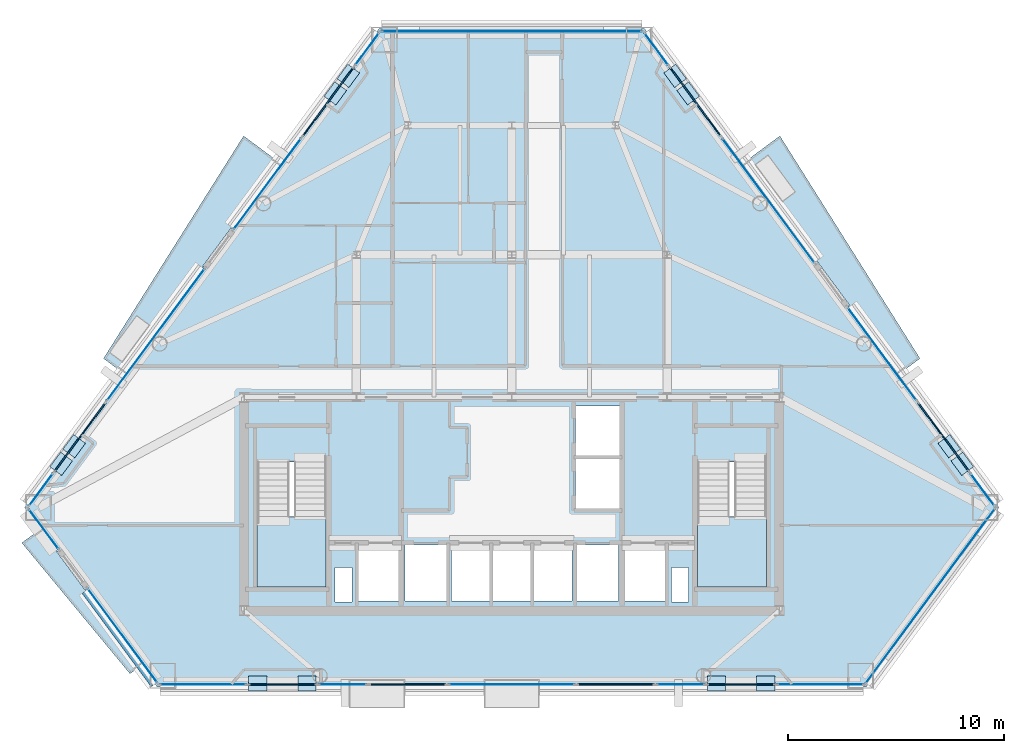
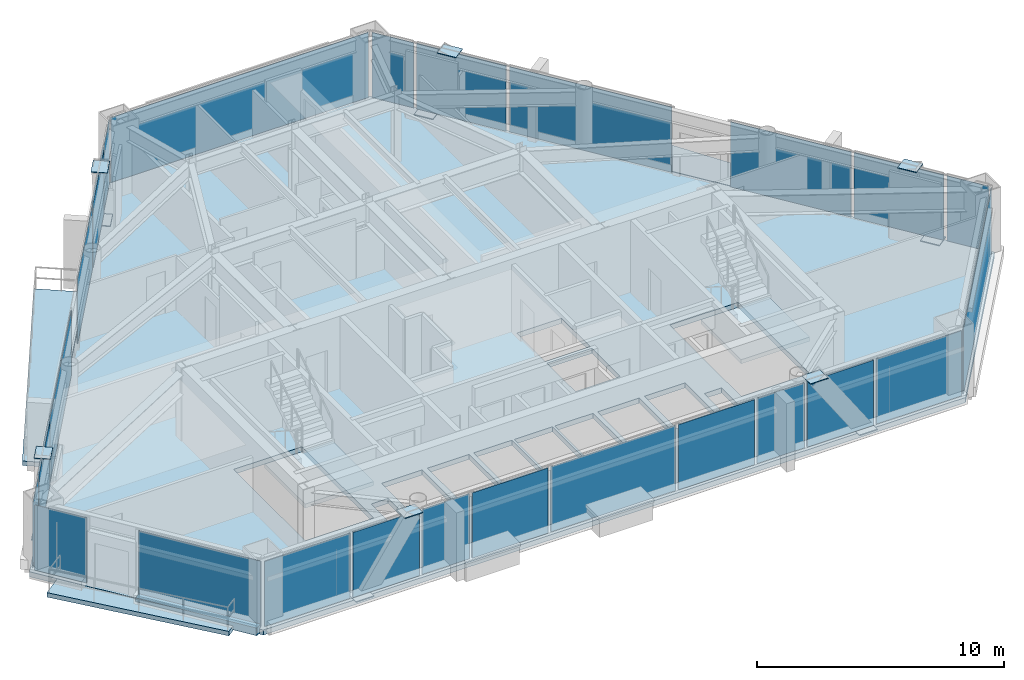
# One storey, part 7 of 13: 37 plates, 6 slabs, 1 wall, 27 elements without a shape of their own.
"""IFC4 building model written with IfcOpenShell, lengths in metres."""

from ifc_helpers import new_model, si_unit, direction, frame, frame_2d, origin, origin_2d, place, context, subcontext, project, spatial, polyline, rectangle, outline, extrude, source, transform, mapped, material, layer, layer_set, type_object, type_shapes, element, aggregate, save


model = new_model("IFC4")

# Units and contexts
model_context = context("Model", 3, precision=1e-05, world=origin(), true_north=direction((0.0, 1.0)))
body_context = subcontext(model_context, "Body", "Model", "MODEL_VIEW")
ifc_project = project(units=[si_unit("LENGTHUNIT", "METRE"), si_unit("AREAUNIT", "SQUARE_METRE"), si_unit("VOLUMEUNIT", "CUBIC_METRE"), si_unit("PLANEANGLEUNIT", "RADIAN"), si_unit("MASSUNIT", "GRAM", prefix="KILO")], contexts=[model_context])

# Site, building, storey
site_placement = place(None, origin())
site = spatial("IfcSite", under=ifc_project, at=site_placement, CompositionType="ELEMENT")
building_placement = place(site_placement, origin())
building = spatial("IfcBuilding", under=site, at=building_placement, Name="Talgorran Terracotta Tower", CompositionType="ELEMENT")
storey_placement = place(building_placement, frame((0.0, 0.0, 99.60009765625)))
storey = spatial("IfcBuildingStorey", under=building, at=storey_placement, Name="L25", CompositionType="ELEMENT", Elevation=99.60009765625)

# Plates
ifc_material_1 = material(Name="Steel Grade 350 (350L0)", Category="steel")
ifc_layer_1 = layer(ifc_material_1, 0.035888671875, Name="PL_CAP_MN06")
ifc_layer_set_1 = layer_set([ifc_layer_1], Name="Steel Grade 350 (350L0)")
plate_type_1 = type_object("IfcPlateType", Name="PL_CAP_MN06", PredefinedType="USERDEFINED", material=ifc_layer_set_1)
for number, where, z_axis, x_axis, name in (
    (1, (-11.77099609375, -17.4677734375, -0.0078125), (0.0, 0.0, 1.0), (1.0, 0.0, 0.0), "L25 Diagonal Frame End Cap SWF Bot"),
    (2, (-9.482177734375, -17.4677734375, 3.32177734375), (0.0, 0.0, 1.0), (1.0, 0.0, 0.0), "L25 Diagonal Frame End Cap SWF Top"),
    (3, (11.77099609375, -17.4677734375, -0.0078125), (0.0, 0.0, 1.0), (-1.0, 0.0, 0.0), "L25 Diagonal Frame End Cap SEF Bot"),
    (4, (9.482177734375, -17.4677734375, 3.32177734375), (0.0, 0.0, 1.0), (-1.0, 0.0, 0.0), "L25 Diagonal Frame End Cap SEF Top"),
    (5, (20.881591796875, -7.2880859375, -0.0078125), (0.0, 0.0, 1.0), (-0.59496307718, 0.803753032213, 0.0), "L25 Diagonal Frame End Cap NEL Bot"),
    (6, (20.278076171875, -6.47265625, 3.32177734375), (0.0, 0.0, 1.0), (-0.59496307718, 0.803753032213, 0.0), "L25 Diagonal Frame End Cap NEL Top"),
    (7, (7.572021484375, 10.694580078125, -0.0078125), (0.0, 0.0, 1.0), (0.59496307718, -0.803753032213, 0.0), "L25 Diagonal Frame End Cap NEU Bot"),
    (8, (8.175537109375, 9.87939453125, 3.32177734375), (0.0, 0.0, 1.0), (0.59496307718, -0.803753032213, 0.0), "L25 Diagonal Frame End Cap NEU Top"),
    (9, (-7.572021484375, 10.694580078125, -0.0078125), (0.0, 0.0, 1.0), (-0.59496307718, -0.803753032213, 0.0), "L25 Diagonal Frame End Cap NWU Bot"),
    (10, (-8.175537109375, 9.87939453125, 3.32177734375), (0.0, 0.0, 1.0), (-0.59496307718, -0.803753032213, 0.0), "L25 Diagonal Frame End Cap NWU Top"),
    (11, (-20.881591796875, -7.2880859375, -0.0078125), (0.0, 0.0, 1.0), (0.59496307718, 0.803753032213, 0.0), "L25 Diagonal Frame End Cap NWL Bot"),
    (12, (-20.278076171875, -6.47265625, 3.32177734375), (0.0, 0.0, 1.0), (0.59496307718, 0.803753032213, 0.0), "L25 Diagonal Frame End Cap NWL Top"),
):
    element("IfcPlate", number, at=place(storey_placement, frame(where, z_axis=z_axis, x_axis=x_axis)), inside=storey, type_object=plate_type_1, Name=name, ObjectType="CAP PLATE", PredefinedType="USERDEFINED", context=body_context, shape_type="SweptSolid", body=[
        extrude(rectangle(XDim=0.840087890625, YDim=0.679931640625, at=origin_2d()), origin(), (0.0, 0.0, 1.0), 0.035888671875),
    ])

# Slabs
ifc_material_2 = material(Name="Concrete C40/50", Category="concrete")
ifc_layer_2 = layer(ifc_material_2, 0.219970703125, Name="SL_BALCONY_220")
ifc_layer_set_2 = layer_set([ifc_layer_2], Name="Concrete C40/50")
slab_type_1 = type_object("IfcSlabType", Name="SL_BALCONY_220", PredefinedType="FLOOR", material=ifc_layer_set_2)
slab_1_placement = place(storey_placement, frame((0.0, 0.0, -0.22021484375)))
element("IfcSlab", 13, at=slab_1_placement, inside=storey, type_object=slab_type_1, Name="L25 Outdoor Wave Balcony BAL-NE", PredefinedType="FLOOR", context=body_context, shape_type="SweptSolid", body=[
    extrude(outline(polyline([(10.764404296875, 6.67578125), (17.9931640625, -3.09130859375), (18.919189453125, -2.40576171875), (12.42626953125, 7.90576171875), (10.764404296875, 6.67578125)])), origin(), (0.0, 0.0, 1.0), 0.22021484375),
])
slab_2_placement = place(storey_placement, frame((0.0, 0.0, -0.22021484375)))
element("IfcSlab", 14, at=slab_2_placement, inside=storey, type_object=slab_type_1, Name="L25 Outdoor Wave Balcony BAL-NW", PredefinedType="FLOOR", context=body_context, shape_type="SweptSolid", body=[
    extrude(outline(polyline([(-17.9931640625, -3.09130859375), (-10.764404296875, 6.67578125), (-12.42626953125, 7.90576171875), (-18.919189453125, -2.40576171875), (-17.9931640625, -3.09130859375)])), origin(), (0.0, 0.0, 1.0), 0.22021484375),
])
slab_3_placement = place(storey_placement, frame((0.0, 0.0, -0.22021484375)))
element("IfcSlab", 15, at=slab_3_placement, inside=storey, type_object=slab_type_1, Name="L25 Outdoor Wave Balcony BAL-SW", PredefinedType="FLOOR", context=body_context, shape_type="SweptSolid", body=[
    extrude(outline(polyline([(-17.179443359375, -16.639404296875), (-21.85498046875, -10.322021484375), (-22.70556640625, -10.951416015625), (-17.690185546875, -17.017333984375), (-17.179443359375, -16.639404296875)])), origin(), (0.0, 0.0, 1.0), 0.22021484375),
])

# Stair, slab
stair_type = type_object("IfcStairType", Name="ST_FIRE_SCISSOR", PredefinedType="HALF_TURN_STAIR", material=ifc_material_2)
stair_1_placement = place(storey_placement, origin())
stair_1 = element("IfcStair", 16, at=stair_1_placement, inside=storey, type_object=stair_type, Name="L25 West Protected Fire Stair ST-01", PredefinedType="HALF_TURN_STAIR")
ifc_layer_3 = layer(ifc_material_2, 0.199951171875, Name="SL_LANDING_200")
ifc_layer_set_3 = layer_set([ifc_layer_3], Name="Concrete C40/50")
slab_type_2 = type_object("IfcSlabType", Name="SL_LANDING_200", PredefinedType="LANDING", material=ifc_layer_set_3)
slab_4_placement = place(storey_placement, frame((0.0, 0.0, 1.599853515625)))
slab_4 = element("IfcSlab", 17, at=slab_4_placement, type_object=slab_type_2, Name="ST-01 landing 1", PredefinedType="LANDING", context=body_context, shape_type="SweptSolid", body=[
    extrude(outline(polyline([(-11.800048828125, -9.719970703125), (-11.800048828125, -13.0), (-8.60009765625, -13.0), (-8.60009765625, -9.719970703125), (-11.800048828125, -9.719970703125)])), origin(), (0.0, 0.0, 1.0), 0.199951171875),
])
aggregate(stair_1, [slab_4])

stair_2_placement = place(storey_placement, origin())
stair_2 = element("IfcStair", 18, at=stair_2_placement, inside=storey, type_object=stair_type, Name="L25 East Protected Fire Stair ST-02", PredefinedType="HALF_TURN_STAIR")
slab_5_placement = place(storey_placement, frame((0.0, 0.0, 1.599853515625)))
slab_5 = element("IfcSlab", 19, at=slab_5_placement, type_object=slab_type_2, Name="ST-02 landing 1", PredefinedType="LANDING", context=body_context, shape_type="SweptSolid", body=[
    extrude(outline(polyline([(8.60009765625, -9.719970703125), (8.60009765625, -13.0), (11.800048828125, -13.0), (11.800048828125, -9.719970703125), (8.60009765625, -9.719970703125)])), origin(), (0.0, 0.0, 1.0), 0.199951171875),
])
aggregate(stair_2, [slab_5])

# Slab
ifc_layer_4 = layer(ifc_material_2, 0.264892578125, Name="SL_TOWER_265")
ifc_layer_set_4 = layer_set([ifc_layer_4], Name="Concrete C40/50")
slab_type_3 = type_object("IfcSlabType", Name="SL_TOWER_265", PredefinedType="FLOOR", material=ifc_layer_set_4)
slab_6_placement = place(storey_placement, frame((0.0, 0.0, -0.25)))
element("IfcSlab", 20, at=slab_6_placement, inside=storey, type_object=slab_type_3, Name="Storey L25 Structural Floor Slab", PredefinedType="FLOOR", context=body_context, shape_type="SweptSolid", body=[
    extrude(outline(polyline([(-22.581298828125, -9.315673828125), (-16.42919921875, -17.627685546875), (16.42919921875, -17.627685546875), (22.581298828125, -9.315673828125), (6.152099609375, 12.882080078125), (-6.152099609375, 12.882080078125), (-22.581298828125, -9.315673828125)]), holes=[polyline([(-11.800048828125, -7.199951171875), (-11.800048828125, -13.0), (-8.60009765625, -13.0), (-8.60009765625, -7.199951171875), (-11.800048828125, -7.199951171875)]), polyline([(8.60009765625, -7.199951171875), (8.60009765625, -13.0), (11.800048828125, -13.0), (11.800048828125, -7.199951171875), (8.60009765625, -7.199951171875)]), polyline([(-7.10009765625, -13.64990234375), (-5.199951171875, -13.64990234375), (-5.199951171875, -11.050048828125), (-7.10009765625, -11.050048828125), (-7.10009765625, -13.64990234375)]), polyline([(5.199951171875, -13.64990234375), (7.10009765625, -13.64990234375), (7.10009765625, -11.050048828125), (5.199951171875, -11.050048828125), (5.199951171875, -13.64990234375)]), polyline([(3.0, -13.64990234375), (4.949951171875, -13.64990234375), (4.949951171875, -11.050048828125), (3.0, -11.050048828125), (3.0, -13.64990234375)]), polyline([(-4.949951171875, -13.64990234375), (-3.0, -13.64990234375), (-3.0, -11.050048828125), (-4.949951171875, -11.050048828125), (-4.949951171875, -13.64990234375)]), polyline([(2.949951171875, -9.35009765625), (5.050048828125, -9.35009765625), (5.050048828125, -7.050048828125), (2.949951171875, -7.050048828125), (2.949951171875, -9.35009765625)]), polyline([(2.949951171875, -6.89990234375), (5.050048828125, -6.89990234375), (5.050048828125, -4.60009765625), (2.949951171875, -4.60009765625), (2.949951171875, -6.89990234375)]), polyline([(-2.800048828125, -13.64990234375), (-1.0, -13.64990234375), (-1.0, -11.050048828125), (-2.800048828125, -11.050048828125), (-2.800048828125, -13.64990234375)]), polyline([(-0.89990234375, -13.64990234375), (0.89990234375, -13.64990234375), (0.89990234375, -11.050048828125), (-0.89990234375, -11.050048828125), (-0.89990234375, -13.64990234375)]), polyline([(1.0, -13.64990234375), (2.800048828125, -13.64990234375), (2.800048828125, -11.050048828125), (1.0, -11.050048828125), (1.0, -13.64990234375)]), polyline([(-8.199951171875, -13.699951171875), (-7.39990234375, -13.699951171875), (-7.39990234375, -12.10009765625), (-8.199951171875, -12.10009765625), (-8.199951171875, -13.699951171875)]), polyline([(7.39990234375, -13.699951171875), (8.199951171875, -13.699951171875), (8.199951171875, -12.10009765625), (7.39990234375, -12.10009765625), (7.39990234375, -13.699951171875)])]), origin(), (0.0, 0.0, 1.0), 0.25),
])

# Curtain wall, plate
ifc_material_3 = material(Name="Unitised Low-E Double Glazing", Category="glass")
ifc_layer_5 = layer(ifc_material_3, 0.199951171875, Name="CW_SYS2_RES_LOW")
ifc_layer_set_5 = layer_set([ifc_layer_5], Name="Unitised Low-E Double Glazing")
curtain_wall_type = type_object("IfcCurtainWallType", Name="CW_SYS2_RES_LOW", PredefinedType="NOTDEFINED", material=ifc_layer_set_5)
curtain_wall_1_placement = place(storey_placement, origin())
curtain_wall_1 = element("IfcCurtainWall", 21, at=curtain_wall_1_placement, inside=storey, type_object=curtain_wall_type, Name="CW-L25-F10", PredefinedType="NOTDEFINED")
ifc_material_4 = material(Name="Low-E Laminated Vision Glass", Category="glass")
ifc_layer_6 = layer(ifc_material_4, 0.028076171875, Name="PLT_VISION_28")
ifc_layer_set_6 = layer_set([ifc_layer_6], Name="Low-E Laminated Vision Glass")
plate_type_2 = type_object("IfcPlateType", Name="PLT_VISION_28", PredefinedType="CURTAIN_PANEL", material=ifc_layer_set_6)
shared_shape_1 = source(origin(), body_context, "Body", "SweptSolid", [
    extrude(rectangle(XDim=2.288818359375, YDim=0.028076171875, at=origin_2d()), origin(), (0.0, 0.0, 1.0), 3.219970703125),
])
plate_1_placement = place(storey_placement, frame((-21.688720703125, -10.31982421875, 0.06494140625), z_axis=(0.0, 0.0, 1.0), x_axis=(0.594921007652, -0.803784171687, 0.0)))
plate_1 = element("IfcPlate", 22, at=plate_1_placement, type_object=plate_type_2, Name="CW-L25-10 panel 1.1", PredefinedType="CURTAIN_PANEL", context=body_context, shape_type="MappedRepresentation", body=[
    mapped(shared_shape_1, transform((0.0, 0.0, 0.0), scale=1.0)),
])
aggregate(curtain_wall_1, [plate_1])

curtain_wall_2_placement = place(storey_placement, origin())
curtain_wall_2 = element("IfcCurtainWall", 23, at=curtain_wall_2_placement, inside=storey, type_object=curtain_wall_type, Name="CW-L25-F11", PredefinedType="NOTDEFINED")
shared_shape_2 = source(origin(), body_context, "Body", "SweptSolid", [
    extrude(rectangle(XDim=5.403076171875, YDim=0.028076171875, at=origin_2d()), origin(), (0.0, 0.0, 1.0), 3.219970703125),
])
plate_2_placement = place(storey_placement, frame((-18.038330078125, -15.251953125, 0.06494140625), z_axis=(0.0, 0.0, 1.0), x_axis=(0.594915875051, -0.803787970557, 0.0)))
plate_2 = element("IfcPlate", 24, at=plate_2_placement, type_object=plate_type_2, Name="CW-L25-11 panel 1.1", PredefinedType="CURTAIN_PANEL", context=body_context, shape_type="MappedRepresentation", body=[
    mapped(shared_shape_2, transform((0.0, 0.0, 0.0), scale=1.0)),
])
aggregate(curtain_wall_2, [plate_2])

curtain_wall_3_placement = place(storey_placement, origin())
curtain_wall_3 = element("IfcCurtainWall", 25, at=curtain_wall_3_placement, inside=storey, type_object=curtain_wall_type, Name="CW-L25-F1", PredefinedType="NOTDEFINED")
shared_shape_3 = source(origin(), body_context, "Body", "SweptSolid", [
    extrude(rectangle(XDim=3.9892578125, YDim=0.028076171875, at=origin_2d()), origin(), (0.0, 0.0, 1.0), 3.219970703125),
])
plate_3_placement = place(storey_placement, frame((-14.30908203125, -17.5078125, 0.06494140625), z_axis=(0.0, 0.0, 1.0), x_axis=(1.0, 0.0, 0.0)))
plate_3 = element("IfcPlate", 26, at=plate_3_placement, type_object=plate_type_2, Name="CW-L25-1 panel 1.1", PredefinedType="CURTAIN_PANEL", context=body_context, shape_type="MappedRepresentation", body=[
    mapped(shared_shape_3, transform((0.0, 0.0, 0.0), scale=1.0)),
])
aggregate(curtain_wall_3, [plate_3])

curtain_wall_4_placement = place(storey_placement, origin())
curtain_wall_4 = element("IfcCurtainWall", 27, at=curtain_wall_4_placement, inside=storey, type_object=curtain_wall_type, Name="CW-L25-F1I", PredefinedType="NOTDEFINED")
plate_4_placement = place(storey_placement, frame((14.30908203125, -17.5078125, 0.06494140625), z_axis=(0.0, 0.0, 1.0), x_axis=(1.0, 0.0, 0.0)))
plate_4 = element("IfcPlate", 28, at=plate_4_placement, type_object=plate_type_2, Name="CW-L25-1I panel 1.1", PredefinedType="CURTAIN_PANEL", context=body_context, shape_type="MappedRepresentation", body=[
    mapped(shared_shape_3, transform((0.0, 0.0, 0.0), scale=1.0)),
])
aggregate(curtain_wall_4, [plate_4])

curtain_wall_5_placement = place(storey_placement, origin())
curtain_wall_5 = element("IfcCurtainWall", 29, at=curtain_wall_5_placement, inside=storey, type_object=curtain_wall_type, Name="CW-L25-F1B", PredefinedType="NOTDEFINED")
ifc_material_5 = material(Name="Terracotta Insulated Spandrel", Category="masonry")
ifc_layer_7 = layer(ifc_material_5, 0.06494140625, Name="PLT_SPANDREL_TERRA")
ifc_layer_set_7 = layer_set([ifc_layer_7], Name="Terracotta Insulated Spandrel")
plate_type_3 = type_object("IfcPlateType", Name="PLT_SPANDREL_TERRA", PredefinedType="SHEET", material=ifc_layer_set_7)
shared_shape_4 = source(origin(), body_context, "Body", "SweptSolid", [
    extrude(rectangle(XDim=3.095703125, YDim=0.06494140625, at=origin_2d()), origin(), (0.0, 0.0, 1.0), 3.219970703125),
])
plate_5_placement = place(storey_placement, frame((-10.62646484375, -17.5078125, 0.06494140625), z_axis=(0.0, 0.0, 1.0), x_axis=(1.0, 0.0, 0.0)))
plate_5 = element("IfcPlate", 30, at=plate_5_placement, type_object=plate_type_3, Name="CW-L25-1B panel 1.1", PredefinedType="CURTAIN_PANEL", context=body_context, shape_type="MappedRepresentation", body=[
    mapped(shared_shape_4, transform((0.0, 0.0, 0.0), scale=1.0)),
])
aggregate(curtain_wall_5, [plate_5])

curtain_wall_6_placement = place(storey_placement, origin())
curtain_wall_6 = element("IfcCurtainWall", 31, at=curtain_wall_6_placement, inside=storey, type_object=curtain_wall_type, Name="CW-L25-F1H", PredefinedType="NOTDEFINED")
plate_6_placement = place(storey_placement, frame((10.62646484375, -17.5078125, 0.06494140625), z_axis=(0.0, 0.0, 1.0), x_axis=(1.0, 0.0, 0.0)))
plate_6 = element("IfcPlate", 32, at=plate_6_placement, type_object=plate_type_3, Name="CW-L25-1H panel 1.1", PredefinedType="CURTAIN_PANEL", context=body_context, shape_type="MappedRepresentation", body=[
    mapped(shared_shape_4, transform((0.0, 0.0, 0.0), scale=1.0)),
])
aggregate(curtain_wall_6, [plate_6])

curtain_wall_7_placement = place(storey_placement, origin())
curtain_wall_7 = element("IfcCurtainWall", 33, at=curtain_wall_7_placement, inside=storey, type_object=curtain_wall_type, Name="CW-L25-F1C", PredefinedType="NOTDEFINED")
shared_shape_5 = source(origin(), body_context, "Body", "SweptSolid", [
    extrude(rectangle(XDim=2.2041015625, YDim=0.028076171875, at=origin_2d()), origin(), (0.0, 0.0, 1.0), 3.219970703125),
])
plate_7_placement = place(storey_placement, frame((-7.83642578125, -17.5078125, 0.06494140625), z_axis=(0.0, 0.0, 1.0), x_axis=(1.0, 0.0, 0.0)))
plate_7 = element("IfcPlate", 34, at=plate_7_placement, type_object=plate_type_2, Name="CW-L25-1C panel 1.1", PredefinedType="CURTAIN_PANEL", context=body_context, shape_type="MappedRepresentation", body=[
    mapped(shared_shape_5, transform((0.0, 0.0, 0.0), scale=1.0)),
])
aggregate(curtain_wall_7, [plate_7])

curtain_wall_8_placement = place(storey_placement, origin())
curtain_wall_8 = element("IfcCurtainWall", 35, at=curtain_wall_8_placement, inside=storey, type_object=curtain_wall_type, Name="CW-L25-F1G", PredefinedType="NOTDEFINED")
plate_8_placement = place(storey_placement, frame((7.83642578125, -17.5078125, 0.06494140625), z_axis=(0.0, 0.0, 1.0), x_axis=(1.0, 0.0, 0.0)))
plate_8 = element("IfcPlate", 36, at=plate_8_placement, type_object=plate_type_2, Name="CW-L25-1G panel 1.1", PredefinedType="CURTAIN_PANEL", context=body_context, shape_type="MappedRepresentation", body=[
    mapped(shared_shape_5, transform((0.0, 0.0, 0.0), scale=1.0)),
])
aggregate(curtain_wall_8, [plate_8])

curtain_wall_9_placement = place(storey_placement, origin())
curtain_wall_9 = element("IfcCurtainWall", 37, at=curtain_wall_9_placement, inside=storey, type_object=curtain_wall_type, Name="CW-L25-F1D", PredefinedType="NOTDEFINED")
shared_shape_6 = source(origin(), body_context, "Body", "SweptSolid", [
    extrude(rectangle(XDim=3.543212890625, YDim=0.06494140625, at=origin_2d()), origin(), (0.0, 0.0, 1.0), 3.219970703125),
])
plate_9_placement = place(storey_placement, frame((-4.82275390625, -17.5078125, 0.06494140625), z_axis=(0.0, 0.0, 1.0), x_axis=(1.0, 0.0, 0.0)))
plate_9 = element("IfcPlate", 38, at=plate_9_placement, type_object=plate_type_3, Name="CW-L25-1D panel 1.1", PredefinedType="CURTAIN_PANEL", context=body_context, shape_type="MappedRepresentation", body=[
    mapped(shared_shape_6, transform((0.0, 0.0, 0.0), scale=1.0)),
])
aggregate(curtain_wall_9, [plate_9])

curtain_wall_10_placement = place(storey_placement, origin())
curtain_wall_10 = element("IfcCurtainWall", 39, at=curtain_wall_10_placement, inside=storey, type_object=curtain_wall_type, Name="CW-L25-F1F", PredefinedType="NOTDEFINED")
plate_10_placement = place(storey_placement, frame((4.82275390625, -17.5078125, 0.06494140625), z_axis=(0.0, 0.0, 1.0), x_axis=(1.0, 0.0, 0.0)))
plate_10 = element("IfcPlate", 40, at=plate_10_placement, type_object=plate_type_3, Name="CW-L25-1F panel 1.1", PredefinedType="CURTAIN_PANEL", context=body_context, shape_type="MappedRepresentation", body=[
    mapped(shared_shape_6, transform((0.0, 0.0, 0.0), scale=1.0)),
])
aggregate(curtain_wall_10, [plate_10])

curtain_wall_11_placement = place(storey_placement, origin())
curtain_wall_11 = element("IfcCurtainWall", 41, at=curtain_wall_11_placement, inside=storey, type_object=curtain_wall_type, Name="CW-L25-F1E", PredefinedType="NOTDEFINED")
shared_shape_7 = source(origin(), body_context, "Body", "SweptSolid", [
    extrude(rectangle(XDim=5.822509765625, YDim=0.028076171875, at=origin_2d()), origin(), (0.0, 0.0, 1.0), 3.219970703125),
])
plate_11_placement = place(storey_placement, frame((0.0, -17.5078125, 0.06494140625), z_axis=(0.0, 0.0, 1.0), x_axis=(1.0, 0.0, 0.0)))
plate_11 = element("IfcPlate", 42, at=plate_11_placement, type_object=plate_type_2, Name="CW-L25-1E panel 1.1", PredefinedType="CURTAIN_PANEL", context=body_context, shape_type="MappedRepresentation", body=[
    mapped(shared_shape_7, transform((0.0, 0.0, 0.0), scale=1.0)),
])
aggregate(curtain_wall_11, [plate_11])

curtain_wall_12_placement = place(storey_placement, origin())
curtain_wall_12 = element("IfcCurtainWall", 43, at=curtain_wall_12_placement, inside=storey, type_object=curtain_wall_type, Name="CW-L25-F2", PredefinedType="NOTDEFINED")
shared_shape_8 = source(origin(), body_context, "Body", "SweptSolid", [
    extrude(rectangle(XDim=10.06201171875, YDim=0.028076171875, at=origin_2d()), origin(), (0.0, 0.0, 1.0), 3.219970703125),
])
plate_12_placement = place(storey_placement, frame((19.400146484375, -13.41162109375, 0.06494140625), z_axis=(0.0, 0.0, 1.0), x_axis=(0.594910967294, 0.803791602963, 0.0)))
plate_12 = element("IfcPlate", 44, at=plate_12_placement, type_object=plate_type_2, Name="CW-L25-2 panel 1.1", PredefinedType="CURTAIN_PANEL", context=body_context, shape_type="MappedRepresentation", body=[
    mapped(shared_shape_8, transform((0.0, 0.0, 0.0), scale=1.0)),
])
aggregate(curtain_wall_12, [plate_12])

curtain_wall_13_placement = place(storey_placement, origin())
curtain_wall_13 = element("IfcCurtainWall", 45, at=curtain_wall_13_placement, inside=storey, type_object=curtain_wall_type, Name="CW-L25-F40", PredefinedType="NOTDEFINED")
shared_shape_9 = source(origin(), body_context, "Body", "SweptSolid", [
    extrude(rectangle(XDim=1.853271484375, YDim=0.028076171875, at=origin_2d()), origin(), (0.0, 0.0, 1.0), 3.219970703125),
])
plate_13_placement = place(storey_placement, frame((21.818115234375, -8.486328125, 0.06494140625), z_axis=(0.0, 0.0, 1.0), x_axis=(-0.5949055562, 0.803795607852, 0.0)))
plate_13 = element("IfcPlate", 46, at=plate_13_placement, type_object=plate_type_2, Name="CW-L25-40 panel 1.1", PredefinedType="CURTAIN_PANEL", context=body_context, shape_type="MappedRepresentation", body=[
    mapped(shared_shape_9, transform((0.0, 0.0, 0.0), scale=1.0)),
])
aggregate(curtain_wall_13, [plate_13])

curtain_wall_14_placement = place(storey_placement, origin())
curtain_wall_14 = element("IfcCurtainWall", 47, at=curtain_wall_14_placement, inside=storey, type_object=curtain_wall_type, Name="CW-L25-F61C", PredefinedType="NOTDEFINED")
plate_14_placement = place(storey_placement, frame((-21.818115234375, -8.486328125, 0.06494140625), z_axis=(0.0, 0.0, 1.0), x_axis=(-0.594929666877, -0.803777762488, 0.0)))
plate_14 = element("IfcPlate", 48, at=plate_14_placement, type_object=plate_type_2, Name="CW-L25-61C panel 1.1", PredefinedType="CURTAIN_PANEL", context=body_context, shape_type="MappedRepresentation", body=[
    mapped(shared_shape_9, transform((0.0, 0.0, 0.0), scale=1.0)),
])
aggregate(curtain_wall_14, [plate_14])

curtain_wall_15_placement = place(storey_placement, origin())
curtain_wall_15 = element("IfcCurtainWall", 49, at=curtain_wall_15_placement, inside=storey, type_object=curtain_wall_type, Name="CW-L25-F40B", PredefinedType="NOTDEFINED")
shared_shape_10 = source(origin(), body_context, "Body", "SweptSolid", [
    extrude(rectangle(XDim=3.95068359375, YDim=0.06494140625, at=origin_2d()), origin(), (0.0, 0.0, 1.0), 3.219970703125),
])
type_shapes(plate_type_3, [shared_shape_4, shared_shape_6, shared_shape_10])
plate_15_placement = place(storey_placement, frame((20.008544921875, -6.041259765625, 0.06494140625), z_axis=(0.0, 0.0, 1.0), x_axis=(-0.594910457276, 0.803791980442, 0.0)))
plate_15 = element("IfcPlate", 50, at=plate_15_placement, type_object=plate_type_3, Name="CW-L25-40B panel 1.1", PredefinedType="CURTAIN_PANEL", context=body_context, shape_type="MappedRepresentation", body=[
    mapped(shared_shape_10, transform((0.0, 0.0, 0.0), scale=1.0)),
])
aggregate(curtain_wall_15, [plate_15])

curtain_wall_16_placement = place(storey_placement, origin())
curtain_wall_16 = element("IfcCurtainWall", 51, at=curtain_wall_16_placement, inside=storey, type_object=curtain_wall_type, Name="CW-L25-F41B", PredefinedType="NOTDEFINED")
plate_16_placement = place(storey_placement, frame((8.509521484375, 9.495361328125, 0.06494140625), z_axis=(0.0, 0.0, 1.0), x_axis=(-0.594910457276, 0.803791980442, 0.0)))
plate_16 = element("IfcPlate", 52, at=plate_16_placement, type_object=plate_type_3, Name="CW-L25-41B panel 1.1", PredefinedType="CURTAIN_PANEL", context=body_context, shape_type="MappedRepresentation", body=[
    mapped(shared_shape_10, transform((0.0, 0.0, 0.0), scale=1.0)),
])
aggregate(curtain_wall_16, [plate_16])

curtain_wall_17_placement = place(storey_placement, origin())
curtain_wall_17 = element("IfcCurtainWall", 53, at=curtain_wall_17_placement, inside=storey, type_object=curtain_wall_type, Name="CW-L25-F60B", PredefinedType="NOTDEFINED")
plate_17_placement = place(storey_placement, frame((-8.509521484375, 9.495361328125, 0.06494140625), z_axis=(0.0, 0.0, 1.0), x_axis=(-0.594910457276, -0.803791980442, 0.0)))
plate_17 = element("IfcPlate", 54, at=plate_17_placement, type_object=plate_type_3, Name="CW-L25-60B panel 1.1", PredefinedType="CURTAIN_PANEL", context=body_context, shape_type="MappedRepresentation", body=[
    mapped(shared_shape_10, transform((0.0, 0.0, 0.0), scale=1.0)),
])
aggregate(curtain_wall_17, [plate_17])

curtain_wall_18_placement = place(storey_placement, origin())
curtain_wall_18 = element("IfcCurtainWall", 55, at=curtain_wall_18_placement, inside=storey, type_object=curtain_wall_type, Name="CW-L25-F61B", PredefinedType="NOTDEFINED")
plate_18_placement = place(storey_placement, frame((-20.008544921875, -6.041259765625, 0.06494140625), z_axis=(0.0, 0.0, 1.0), x_axis=(-0.594922175399, -0.803783307377, 0.0)))
plate_18 = element("IfcPlate", 56, at=plate_18_placement, type_object=plate_type_3, Name="CW-L25-61B panel 1.1", PredefinedType="CURTAIN_PANEL", context=body_context, shape_type="MappedRepresentation", body=[
    mapped(shared_shape_10, transform((0.0, 0.0, 0.0), scale=1.0)),
])
aggregate(curtain_wall_18, [plate_18])

curtain_wall_19_placement = place(storey_placement, origin())
curtain_wall_19 = element("IfcCurtainWall", 57, at=curtain_wall_19_placement, inside=storey, type_object=curtain_wall_type, Name="CW-L25-F40C", PredefinedType="NOTDEFINED")
shared_shape_11 = source(origin(), body_context, "Body", "SweptSolid", [
    extrude(rectangle(XDim=5.337890625, YDim=0.028076171875, at=origin_2d()), origin(), (0.0, 0.0, 1.0), 3.219970703125),
])
plate_19_placement = place(storey_placement, frame((17.162109375, -2.195556640625, 0.06494140625), z_axis=(0.0, 0.0, 1.0), x_axis=(-0.594905162634, 0.803795899139, 0.0)))
plate_19 = element("IfcPlate", 58, at=plate_19_placement, type_object=plate_type_2, Name="CW-L25-40C panel 1.1", PredefinedType="CURTAIN_PANEL", context=body_context, shape_type="MappedRepresentation", body=[
    mapped(shared_shape_11, transform((0.0, 0.0, 0.0), scale=1.0)),
])
aggregate(curtain_wall_19, [plate_19])

curtain_wall_20_placement = place(storey_placement, origin())
curtain_wall_20 = element("IfcCurtainWall", 59, at=curtain_wall_20_placement, inside=storey, type_object=curtain_wall_type, Name="CW-L25-F41", PredefinedType="NOTDEFINED")
shared_shape_12 = source(origin(), body_context, "Body", "SweptSolid", [
    extrude(rectangle(XDim=7.170166015625, YDim=0.028076171875, at=origin_2d()), origin(), (0.0, 0.0, 1.0), 3.219970703125),
])
plate_20_placement = place(storey_placement, frame((11.900634765625, 4.913330078125, 0.06494140625), z_axis=(0.0, 0.0, 1.0), x_axis=(-0.59490974147, 0.803792510232, 0.0)))
plate_20 = element("IfcPlate", 60, at=plate_20_placement, type_object=plate_type_2, Name="CW-L25-41 panel 1.1", PredefinedType="CURTAIN_PANEL", context=body_context, shape_type="MappedRepresentation", body=[
    mapped(shared_shape_12, transform((0.0, 0.0, 0.0), scale=1.0)),
])
aggregate(curtain_wall_20, [plate_20])

curtain_wall_21_placement = place(storey_placement, origin())
curtain_wall_21 = element("IfcCurtainWall", 61, at=curtain_wall_21_placement, inside=storey, type_object=curtain_wall_type, Name="CW-L25-F41C", PredefinedType="NOTDEFINED")
shared_shape_13 = source(origin(), body_context, "Body", "SweptSolid", [
    extrude(rectangle(XDim=1.843994140625, YDim=0.028076171875, at=origin_2d()), origin(), (0.0, 0.0, 1.0), 3.219970703125),
])
plate_21_placement = place(storey_placement, frame((6.70263671875, 11.936767578125, 0.06494140625), z_axis=(0.0, 0.0, 1.0), x_axis=(-0.594913711339, 0.803789572003, 0.0)))
plate_21 = element("IfcPlate", 62, at=plate_21_placement, type_object=plate_type_2, Name="CW-L25-41C panel 1.1", PredefinedType="CURTAIN_PANEL", context=body_context, shape_type="MappedRepresentation", body=[
    mapped(shared_shape_13, transform((0.0, 0.0, 0.0), scale=1.0)),
])
aggregate(curtain_wall_21, [plate_21])

curtain_wall_22_placement = place(storey_placement, origin())
curtain_wall_22 = element("IfcCurtainWall", 63, at=curtain_wall_22_placement, inside=storey, type_object=curtain_wall_type, Name="CW-L25-F60", PredefinedType="NOTDEFINED")
plate_22_placement = place(storey_placement, frame((-6.70263671875, 11.936767578125, 0.06494140625), z_axis=(0.0, 0.0, 1.0), x_axis=(-0.594913711339, -0.803789572003, 0.0)))
plate_22 = element("IfcPlate", 64, at=plate_22_placement, type_object=plate_type_2, Name="CW-L25-60 panel 1.1", PredefinedType="CURTAIN_PANEL", context=body_context, shape_type="MappedRepresentation", body=[
    mapped(shared_shape_13, transform((0.0, 0.0, 0.0), scale=1.0)),
])
aggregate(curtain_wall_22, [plate_22])

curtain_wall_23_placement = place(storey_placement, origin())
curtain_wall_23 = element("IfcCurtainWall", 65, at=curtain_wall_23_placement, inside=storey, type_object=curtain_wall_type, Name="CW-L25-F4", PredefinedType="NOTDEFINED")
shared_shape_14 = source(origin(), body_context, "Body", "SweptSolid", [
    extrude(rectangle(XDim=12.05322265625, YDim=0.028076171875, at=origin_2d()), origin(), (0.0, 0.0, 1.0), 3.219970703125),
])
plate_23_placement = place(storey_placement, frame((0.0, 12.76220703125, 0.06494140625), z_axis=(0.0, 0.0, 1.0), x_axis=(-1.0, 0.0, 0.0)))
plate_23 = element("IfcPlate", 66, at=plate_23_placement, type_object=plate_type_2, Name="CW-L25-4 panel 1.1", PredefinedType="CURTAIN_PANEL", context=body_context, shape_type="MappedRepresentation", body=[
    mapped(shared_shape_14, transform((0.0, 0.0, 0.0), scale=1.0)),
])
aggregate(curtain_wall_23, [plate_23])

curtain_wall_24_placement = place(storey_placement, origin())
curtain_wall_24 = element("IfcCurtainWall", 67, at=curtain_wall_24_placement, inside=storey, type_object=curtain_wall_type, Name="CW-L25-F60C", PredefinedType="NOTDEFINED")
shared_shape_15 = source(origin(), body_context, "Body", "SweptSolid", [
    extrude(rectangle(XDim=5.23388671875, YDim=0.028076171875, at=origin_2d()), origin(), (0.0, 0.0, 1.0), 3.219970703125),
])
plate_24_placement = place(storey_placement, frame((-11.32470703125, 5.69140625, 0.06494140625), z_axis=(0.0, 0.0, 1.0), x_axis=(-0.594910946419, -0.803791618413, 0.0)))
plate_24 = element("IfcPlate", 68, at=plate_24_placement, type_object=plate_type_2, Name="CW-L25-60C panel 1.1", PredefinedType="CURTAIN_PANEL", context=body_context, shape_type="MappedRepresentation", body=[
    mapped(shared_shape_15, transform((0.0, 0.0, 0.0), scale=1.0)),
])
aggregate(curtain_wall_24, [plate_24])

curtain_wall_25_placement = place(storey_placement, origin())
curtain_wall_25 = element("IfcCurtainWall", 69, at=curtain_wall_25_placement, inside=storey, type_object=curtain_wall_type, Name="CW-L25-F61", PredefinedType="NOTDEFINED")
shared_shape_16 = source(origin(), body_context, "Body", "SweptSolid", [
    extrude(rectangle(XDim=7.574462890625, YDim=0.028076171875, at=origin_2d()), origin(), (0.0, 0.0, 1.0), 3.219970703125),
])
type_shapes(plate_type_2, [shared_shape_1, shared_shape_2, shared_shape_3, shared_shape_5, shared_shape_7, shared_shape_8, shared_shape_9, shared_shape_11, shared_shape_12, shared_shape_13, shared_shape_14, shared_shape_15, shared_shape_16])
plate_25_placement = place(storey_placement, frame((-16.496826171875, -1.296630859375, 0.06494140625), z_axis=(0.0, 0.0, 1.0), x_axis=(-0.594910266807, -0.803792121414, 0.0)))
plate_25 = element("IfcPlate", 70, at=plate_25_placement, type_object=plate_type_2, Name="CW-L25-61 panel 1.1", PredefinedType="CURTAIN_PANEL", context=body_context, shape_type="MappedRepresentation", body=[
    mapped(shared_shape_16, transform((0.0, 0.0, 0.0), scale=1.0)),
])
aggregate(curtain_wall_25, [plate_25])

# Wall
ifc_layer_8 = layer(ifc_material_2, 0.219970703125, Name="WT_PARAPET_RC")
ifc_layer_set_8 = layer_set([ifc_layer_8], Name="Concrete C40/50")
wall_type = type_object("IfcWallType", Name="WT_PARAPET_RC", PredefinedType="PARAPET", material=ifc_layer_set_8)
wall_placement = place(storey_placement, frame((-19.76513671875, -13.187744140625, -0.2001953125), z_axis=(0.0, 0.0, 1.0), x_axis=(0.594913467102, -0.803789752772, 0.0)))
element("IfcWall", 71, at=wall_placement, inside=storey, type_object=wall_type, Name="L25 Striped Portal Precast Cornice F11", PredefinedType="PARAPET", context=body_context, shape_type="SweptSolid", body=[
    extrude(rectangle(XDim=5.373046875, YDim=0.360107421875, at=frame_2d((2.6865234375, 0.0))), origin(), (0.0, 0.0, 1.0), 0.380126953125),
])

save(model, "model.ifc")
